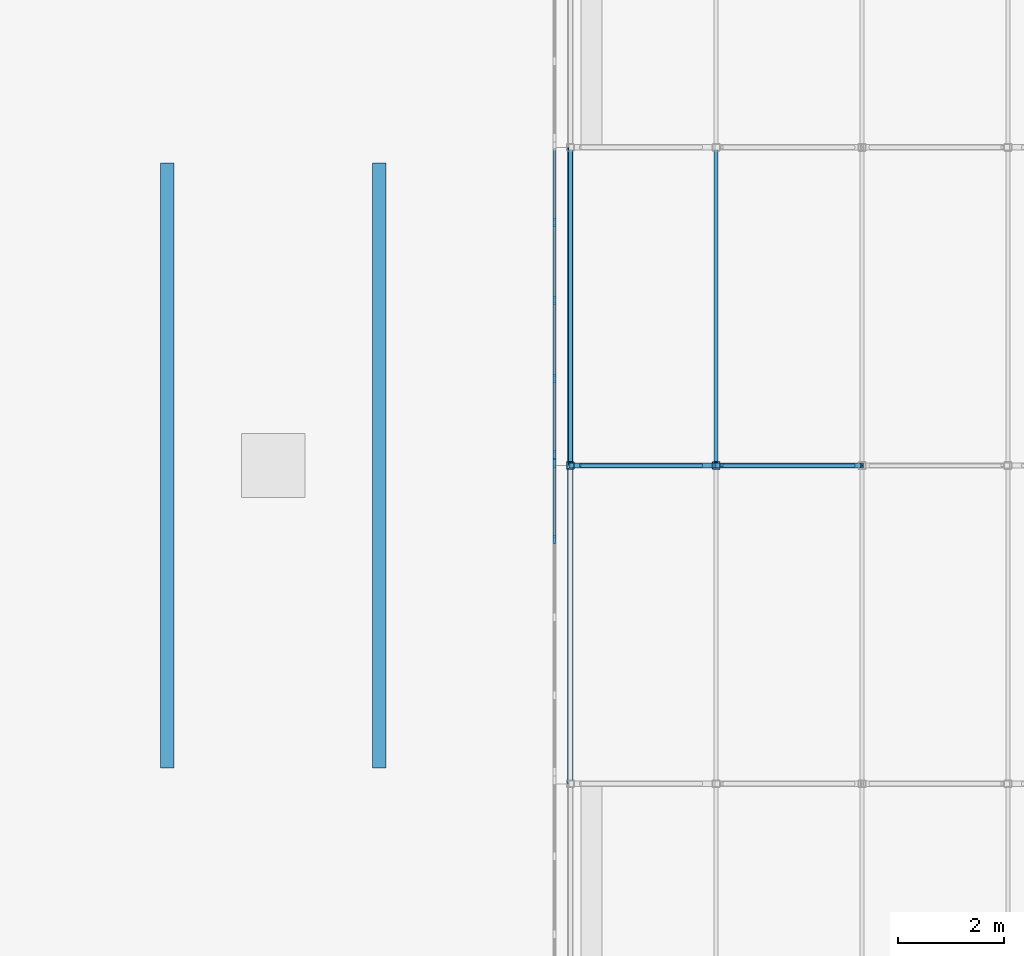
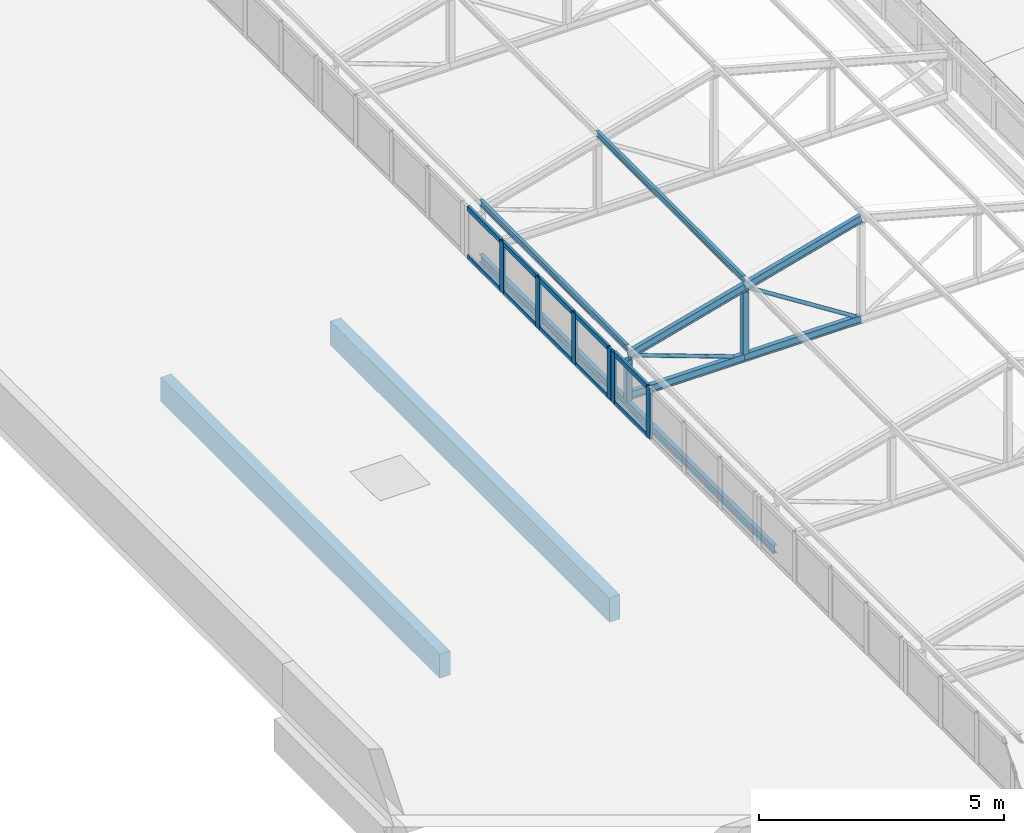
# One storey, part 22 of 94: 26 members, 3 beams, 2 elements without a shape of their own.
"""IFC4 building model written with IfcOpenShell, lengths in metres."""

import ifcopenshell
import ifcopenshell.guid

model = None  # the IFC model being written
_history = None  # IfcOwnerHistory: only IFC2X3 demands one
_inside = {}  # id of a spatial element -> (the spatial element, [elements in it])
_under = {}  # id of a project, library or spatial element -> (it, [spatial elements below it])
_declared = {}  # id of a project -> (the project, [libraries it declares])
_typed = {}  # id of a type object -> (the type object, [elements of that type])
_made_of = {}  # id of a material, layer set ... -> (it, [elements and type objects made of it])


def new_model(schema):
    """Start an empty IFC model of exactly this schema.

    Asked for "IFC4X3", IfcOpenShell would pick the latest addendum, in which some entities
    have other attributes; the version numbers below select the first issue.
    IFC2X3 requires an IfcOwnerHistory on every rooted entity: one is made here for all.
    """
    global model, _history
    if schema == "IFC4X3":
        model = ifcopenshell.file(schema_version=(4, 3, 0, 0))
    else:
        model = ifcopenshell.file(schema=schema)
    _inside.clear()
    _under.clear()
    _declared.clear()
    _typed.clear()
    _made_of.clear()
    _history = None
    if model.schema == "IFC2X3":
        org = make("IfcOrganization", Name="unknown")
        user = make(
            "IfcPersonAndOrganization",
            ThePerson=make("IfcPerson", FamilyName="unknown"),
            TheOrganization=org,
        )
        app = make(
            "IfcApplication",
            ApplicationDeveloper=org,
            Version="unknown",
            ApplicationFullName="unknown",
            ApplicationIdentifier="unknown",
        )
        _history = make(
            "IfcOwnerHistory",
            OwningUser=user,
            OwningApplication=app,
            ChangeAction="ADDED",
            CreationDate=0,
        )
    return model


def make(cls, **values):
    """One entity of the class cls with the attributes given. An attribute that is None is left unset."""
    return model.create_entity(
        cls, **{name: value for name, value in values.items() if value is not None}
    )


def rooted(cls, **values):
    """An entity with a GlobalId (a new one), such as an element, a storey or a relation."""
    return make(cls, GlobalId=ifcopenshell.guid.new(), OwnerHistory=_history, **values)


def si_unit(unit_type, name, prefix=None):
    """IfcSIUnit, for example si_unit("LENGTHUNIT", "METRE", prefix="MILLI")."""
    return make("IfcSIUnit", UnitType=unit_type, Prefix=prefix, Name=name)


def assignment(units):
    """IfcUnitAssignment: the units of a project."""
    return None if units is None else make("IfcUnitAssignment", Units=units)


def point(xyz):
    """IfcCartesianPoint."""
    return None if xyz is None else make("IfcCartesianPoint", Coordinates=xyz)


def direction(xyz):
    """IfcDirection."""
    return None if xyz is None else make("IfcDirection", DirectionRatios=xyz)


def frame(location, z_axis=None, x_axis=None):
    """IfcAxis2Placement3D, a coordinate frame: its origin and axes. An axis left out is left unset."""
    return make(
        "IfcAxis2Placement3D",
        Location=point(location),
        Axis=direction(z_axis),
        RefDirection=direction(x_axis),
    )


def frame_2d(location, x_axis=None):
    """IfcAxis2Placement2D, a coordinate frame in the plane: its origin and x axis."""
    return make(
        "IfcAxis2Placement2D", Location=point(location), RefDirection=direction(x_axis)
    )


def origin():
    """The frame at (0, 0, 0) with its axes left unset."""
    return frame((0.0, 0.0, 0.0))


def origin_2d():
    """The frame at (0, 0) in the plane with its x axis left unset."""
    return frame_2d((0.0, 0.0))


def place(relative_to, where):
    """IfcLocalPlacement: puts the frame where relative to a parent placement (None: the world)."""
    return make(
        "IfcLocalPlacement", PlacementRelTo=relative_to, RelativePlacement=where
    )


def context(
    kind, dimensions, precision=None, world=None, true_north=None, identifier=None
):
    """IfcGeometricRepresentationContext, for example the 3D "Model" context."""
    return make(
        "IfcGeometricRepresentationContext",
        ContextIdentifier=identifier,
        ContextType=kind,
        CoordinateSpaceDimension=dimensions,
        Precision=precision,
        WorldCoordinateSystem=world,
        TrueNorth=true_north,
    )


def subcontext(parent, identifier, kind, view, scale=None):
    """IfcGeometricRepresentationSubContext, for example "Body" below "Model"."""
    return make(
        "IfcGeometricRepresentationSubContext",
        ContextIdentifier=identifier,
        ContextType=kind,
        ParentContext=parent,
        TargetScale=scale,
        TargetView=view,
    )


def project(units=None, contexts=None):
    """IfcProject with its units and contexts."""
    return rooted(
        "IfcProject",
        Name="project",
        RepresentationContexts=contexts,
        UnitsInContext=assignment(units),
    )


def spatial(cls, under=None, at=None, **own):
    """A site, building, storey or space (cls), placed at a placement, below another one or the project."""
    s = rooted(cls, ObjectPlacement=at, **own)
    if under is not None:
        _under.setdefault(under.id(), (under, []))[1].append(s)
    return s


def profile(cls, at=None, kind="AREA", **sizes):
    """A parametric profile (cls). Its sizes go by their IFC names, for example OverallWidth=200.0."""
    return make(cls, ProfileType=kind, Position=at, **sizes)


def rectangle(**sizes):
    """IfcRectangleProfileDef."""
    return profile("IfcRectangleProfileDef", **sizes)


def hollow_rectangle(**sizes):
    """IfcRectangleHollowProfileDef."""
    return profile("IfcRectangleHollowProfileDef", **sizes)


def hollow_circle(**sizes):
    """IfcCircleHollowProfileDef."""
    return profile("IfcCircleHollowProfileDef", **sizes)


def i_section(**sizes):
    """IfcIShapeProfileDef."""
    return profile("IfcIShapeProfileDef", **sizes)


def extrude(swept, where, along, depth):
    """IfcExtrudedAreaSolid: the profile swept, set in the frame where, extruded along a direction by depth."""
    return make(
        "IfcExtrudedAreaSolid",
        SweptArea=swept,
        Position=where,
        ExtrudedDirection=direction(along),
        Depth=depth,
    )


def shape(context_of_items, identifier, shape_type, items):
    """IfcShapeRepresentation: the items that make up one representation, for example the "Body"."""
    return make(
        "IfcShapeRepresentation",
        ContextOfItems=context_of_items,
        RepresentationIdentifier=identifier,
        RepresentationType=shape_type,
        Items=items,
    )


def material(Name=None, Category=None):
    """IfcMaterial."""
    return make("IfcMaterial", Name=Name, Category=Category)


def layer(
    of_material, thickness, ventilated=None, Name=None, Category=None, Priority=None
):
    """IfcMaterialLayer: one layer of a wall or slab, of a material (None: an air gap)."""
    return make(
        "IfcMaterialLayer",
        Material=of_material,
        LayerThickness=thickness,
        IsVentilated=ventilated,
        Name=Name,
        Category=Category,
        Priority=Priority,
    )


def layer_set(layers, Name=None):
    """IfcMaterialLayerSet."""
    return make("IfcMaterialLayerSet", MaterialLayers=layers, LayerSetName=Name)


def material_profile(
    of_material, cross_section, Name=None, Category=None, Priority=None
):
    """IfcMaterialProfile: a cross section and its material."""
    return make(
        "IfcMaterialProfile",
        Name=Name,
        Material=of_material,
        Profile=cross_section,
        Priority=Priority,
        Category=Category,
    )


def profile_set(profiles, Name=None, composite=None):
    """IfcMaterialProfileSet."""
    return make(
        "IfcMaterialProfileSet",
        Name=Name,
        MaterialProfiles=profiles,
        CompositeProfile=composite,
    )


def made_of(thing, what):
    """Note that an element or type object is made of a material, layer set ...; save() writes the relation."""
    if what is not None:
        _made_of.setdefault(what.id(), (what, []))[1].append(thing)
    return thing


def type_object(cls, material=None, **own):
    """A type object (cls), such as IfcWallType, which elements share."""
    return made_of(rooted(cls, **own), material)


def element(
    cls,
    number,
    at=None,
    inside=None,
    cuts=None,
    type_object=None,
    material=None,
    context=None,
    identifier="Body",
    shape_type=None,
    held_by="IfcProductDefinitionShape",
    body=None,
    shapes=None,
    **own,
):
    """One element of the class cls, such as IfcWall. Its Tag is "e" and its number.

    at: its placement. inside: the storey or other place that contains it. cuts: it is an
    opening in that element (IfcRelVoidsElement). A single representation is given by context,
    identifier, shape_type and body (its items); several are given by shapes. held_by: the class
    of the entity that holds the representations. save() writes the other relations.
    """
    e = rooted(cls, Tag="e%d" % number, ObjectPlacement=at, **own)
    if body is not None:
        shapes = [shape(context, identifier, shape_type, body)]
    if shapes is not None:
        e.Representation = make(held_by, Representations=shapes)
    if inside is not None:
        _inside.setdefault(inside.id(), (inside, []))[1].append(e)
    if cuts is not None:
        rooted(
            "IfcRelVoidsElement", RelatingBuildingElement=cuts, RelatedOpeningElement=e
        )
    if type_object is not None:
        _typed.setdefault(type_object.id(), (type_object, []))[1].append(e)
    return made_of(e, material)


def aggregate(whole, parts):
    """IfcRelAggregates: a whole, such as a stair, and the parts it consists of."""
    return rooted("IfcRelAggregates", RelatingObject=whole, RelatedObjects=parts)


def save(model, path):
    """Write the relations noted so far, then the file.

    IfcRelAggregates (storeys below a building ...), IfcRelContainedInSpatialStructure (elements
    in a storey), IfcRelDefinesByType, IfcRelAssociatesMaterial and IfcRelDeclares: one each for
    every whole, place, type object, material and project.
    """
    for whole, parts in _under.values():
        aggregate(whole, parts)
    for where, things in _inside.values():
        rooted(
            "IfcRelContainedInSpatialStructure",
            RelatedElements=things,
            RelatingStructure=where,
        )
    for kind, things in _typed.values():
        rooted("IfcRelDefinesByType", RelatedObjects=things, RelatingType=kind)
    for what, things in _made_of.values():
        rooted("IfcRelAssociatesMaterial", RelatedObjects=things, RelatingMaterial=what)
    for by, libraries in _declared.values():
        rooted("IfcRelDeclares", RelatingContext=by, RelatedDefinitions=libraries)
    model.write(path)


model = new_model("IFC4")

# Units and contexts
model_context = context("Model", 3, precision=1e-05, world=origin(), true_north=direction((0.0, 1.0)))
body_context = subcontext(model_context, "Body", "Model", "MODEL_VIEW")
ifc_project = project(units=[si_unit("LENGTHUNIT", "METRE"), si_unit("AREAUNIT", "SQUARE_METRE"), si_unit("VOLUMEUNIT", "CUBIC_METRE"), si_unit("PLANEANGLEUNIT", "RADIAN"), si_unit("MASSUNIT", "GRAM", prefix="KILO")], contexts=[model_context])

# Site, building, storey
site_placement = place(None, origin())
site = spatial("IfcSite", under=ifc_project, at=site_placement, CompositionType="ELEMENT")
building_placement = place(site_placement, origin())
building = spatial("IfcBuilding", under=site, at=building_placement, Name="Lilac Gate Convention Centre", CompositionType="ELEMENT")
storey_placement = place(building_placement, frame((0.0, 0.0, 21.0)))
storey = spatial("IfcBuildingStorey", under=building, at=storey_placement, Name="L04", CompositionType="ELEMENT", Elevation=21.0)

# Curtain wall, members
ifc_material_1 = material(Name="Aluminium framed double glazing", Category="aluminium")
ifc_layer = layer(ifc_material_1, 0.199951171875)
ifc_layer_set = layer_set([ifc_layer], Name="Aluminium framed double glazing")
curtain_wall_type = type_object("IfcCurtainWallType", Name="Unitised curtain wall 1500", PredefinedType="NOTDEFINED", material=ifc_layer_set)
curtain_wall_1_placement = place(storey_placement, origin())
curtain_wall_1 = element("IfcCurtainWall", 1, at=curtain_wall_1_placement, inside=storey, type_object=curtain_wall_type, Name="Lantern clerestory W 11", PredefinedType="NOTDEFINED")
ifc_material_2 = material(Name="Aluminium alloy 6063", Category="aluminium")
ifc_material_profile_1 = material_profile(ifc_material_2, rectangle(XDim=0.06005859375, YDim=0.159912109375, at=origin_2d()), Name="Curtain wall mullion 60 x 160")
ifc_profile_set_1 = profile_set([ifc_material_profile_1], Name="Aluminium alloy 6063")
member_type_1 = type_object("IfcMemberType", Name="Curtain wall mullion 60 x 160", PredefinedType="MULLION", material=ifc_profile_set_1)
member_1_placement = place(storey_placement, frame((17.300048828125, 94.606201171875, 0.0), z_axis=(0.0, 0.0, 1.0), x_axis=(-1.0, 0.0, 0.0)))
member_1 = element("IfcMember", 2, at=member_1_placement, type_object=member_type_1, Name="CW mullion 4", PredefinedType="MULLION", context=body_context, shape_type="SweptSolid", body=[
    extrude(rectangle(XDim=0.06005859375, YDim=0.159912109375, at=origin_2d()), origin(), (0.0, 0.0, 1.0), 1.272216796875),
])
member_2_placement = place(storey_placement, frame((17.300048828125, 96.044921875, 0.0), z_axis=(0.0, 0.0, 1.0), x_axis=(-1.0, 0.0, 0.0)))
member_2 = element("IfcMember", 3, at=member_2_placement, type_object=member_type_1, Name="CW mullion 5", PredefinedType="MULLION", context=body_context, shape_type="SweptSolid", body=[
    extrude(rectangle(XDim=0.06005859375, YDim=0.159912109375, at=origin_2d()), origin(), (0.0, 0.0, 1.0), 1.272216796875),
])

curtain_wall_2_placement = place(storey_placement, origin())
curtain_wall_2 = element("IfcCurtainWall", 4, at=curtain_wall_2_placement, inside=storey, type_object=curtain_wall_type, Name="Lantern clerestory W 12", PredefinedType="NOTDEFINED")
member_3_placement = place(storey_placement, frame((17.300048828125, 96.205078125, 0.0), z_axis=(0.0, 0.0, 1.0), x_axis=(-1.0, 0.0, 0.0)))
member_3 = element("IfcMember", 5, at=member_3_placement, type_object=member_type_1, Name="CW mullion 1", PredefinedType="MULLION", context=body_context, shape_type="SweptSolid", body=[
    extrude(rectangle(XDim=0.06005859375, YDim=0.159912109375, at=origin_2d()), origin(), (0.0, 0.0, 1.0), 1.272216796875),
])
member_4_placement = place(storey_placement, frame((17.300048828125, 97.643798828125, 0.0), z_axis=(0.0, 0.0, 1.0), x_axis=(-1.0, 0.0, 0.0)))
member_4 = element("IfcMember", 6, at=member_4_placement, type_object=member_type_1, Name="CW mullion 2", PredefinedType="MULLION", context=body_context, shape_type="SweptSolid", body=[
    extrude(rectangle(XDim=0.06005859375, YDim=0.159912109375, at=origin_2d()), origin(), (0.0, 0.0, 1.0), 1.272216796875),
])
member_5_placement = place(storey_placement, frame((17.300048828125, 99.112548828125, 0.0), z_axis=(0.0, 0.0, 1.0), x_axis=(-1.0, 0.0, 0.0)))
member_5 = element("IfcMember", 7, at=member_5_placement, type_object=member_type_1, Name="CW mullion 3", PredefinedType="MULLION", context=body_context, shape_type="SweptSolid", body=[
    extrude(rectangle(XDim=0.06005859375, YDim=0.159912109375, at=origin_2d()), origin(), (0.0, 0.0, 1.0), 1.272216796875),
])
member_6_placement = place(storey_placement, frame((17.300048828125, 100.581298828125, 0.0), z_axis=(0.0, 0.0, 1.0), x_axis=(-1.0, 0.0, 0.0)))
member_6 = element("IfcMember", 8, at=member_6_placement, type_object=member_type_1, Name="CW mullion 4", PredefinedType="MULLION", context=body_context, shape_type="SweptSolid", body=[
    extrude(rectangle(XDim=0.06005859375, YDim=0.159912109375, at=origin_2d()), origin(), (0.0, 0.0, 1.0), 1.272216796875),
])

# Member
ifc_material_profile_2 = material_profile(ifc_material_2, rectangle(XDim=0.06005859375, YDim=0.1201171875, at=origin_2d()), Name="Curtain wall transom 60 x 120")
ifc_profile_set_2 = profile_set([ifc_material_profile_2], Name="Aluminium alloy 6063")
member_type_2 = type_object("IfcMemberType", Name="Curtain wall transom 60 x 120", PredefinedType="USERDEFINED", material=ifc_profile_set_2)
member_7_placement = place(storey_placement, frame((17.300048828125, 94.63623046875, 0.030029296875), z_axis=(0.0, 1.0, 0.0), x_axis=(-1.0, 0.0, 0.0)))
member_7 = element("IfcMember", 9, at=member_7_placement, type_object=member_type_2, Name="CW transom 4.1", ObjectType="TRANSOM", PredefinedType="USERDEFINED", context=body_context, shape_type="SweptSolid", body=[
    extrude(rectangle(XDim=0.06005859375, YDim=0.1201171875, at=origin_2d()), origin(), (0.0, 0.0, 1.0), 1.378662109375),
])

member_8_placement = place(storey_placement, frame((17.300048828125, 94.63623046875, 1.2421875), z_axis=(0.0, 1.0, 0.0), x_axis=(-1.0, 0.0, 0.0)))
member_8 = element("IfcMember", 10, at=member_8_placement, type_object=member_type_2, Name="CW transom 4.2", ObjectType="TRANSOM", PredefinedType="USERDEFINED", context=body_context, shape_type="SweptSolid", body=[
    extrude(rectangle(XDim=0.06005859375, YDim=0.1201171875, at=origin_2d()), origin(), (0.0, 0.0, 1.0), 1.378662109375),
])

aggregate(curtain_wall_1, [member_1, member_2, member_7, member_8])

member_9_placement = place(storey_placement, frame((17.300048828125, 96.235107421875, 0.030029296875), z_axis=(0.0, 1.0, 0.0), x_axis=(-1.0, 0.0, 0.0)))
member_9 = element("IfcMember", 11, at=member_9_placement, type_object=member_type_2, Name="CW transom 1.1", ObjectType="TRANSOM", PredefinedType="USERDEFINED", context=body_context, shape_type="SweptSolid", body=[
    extrude(rectangle(XDim=0.06005859375, YDim=0.1201171875, at=origin_2d()), origin(), (0.0, 0.0, 1.0), 1.378662109375),
])

member_10_placement = place(storey_placement, frame((17.300048828125, 96.235107421875, 1.2421875), z_axis=(0.0, 1.0, 0.0), x_axis=(-1.0, 0.0, 0.0)))
member_10 = element("IfcMember", 12, at=member_10_placement, type_object=member_type_2, Name="CW transom 1.2", ObjectType="TRANSOM", PredefinedType="USERDEFINED", context=body_context, shape_type="SweptSolid", body=[
    extrude(rectangle(XDim=0.06005859375, YDim=0.1201171875, at=origin_2d()), origin(), (0.0, 0.0, 1.0), 1.378662109375),
])

member_11_placement = place(storey_placement, frame((17.300048828125, 97.673828125, 0.030029296875), z_axis=(0.0, 1.0, 0.0), x_axis=(-1.0, 0.0, 0.0)))
member_11 = element("IfcMember", 13, at=member_11_placement, type_object=member_type_2, Name="CW transom 2.1", ObjectType="TRANSOM", PredefinedType="USERDEFINED", context=body_context, shape_type="SweptSolid", body=[
    extrude(rectangle(XDim=0.06005859375, YDim=0.1201171875, at=origin_2d()), origin(), (0.0, 0.0, 1.0), 1.40869140625),
])

member_12_placement = place(storey_placement, frame((17.300048828125, 97.673828125, 1.2421875), z_axis=(0.0, 1.0, 0.0), x_axis=(-1.0, 0.0, 0.0)))
member_12 = element("IfcMember", 14, at=member_12_placement, type_object=member_type_2, Name="CW transom 2.2", ObjectType="TRANSOM", PredefinedType="USERDEFINED", context=body_context, shape_type="SweptSolid", body=[
    extrude(rectangle(XDim=0.06005859375, YDim=0.1201171875, at=origin_2d()), origin(), (0.0, 0.0, 1.0), 1.40869140625),
])

member_13_placement = place(storey_placement, frame((17.300048828125, 99.142578125, 0.030029296875), z_axis=(0.0, 1.0, 0.0), x_axis=(-1.0, 0.0, 0.0)))
member_13 = element("IfcMember", 15, at=member_13_placement, type_object=member_type_2, Name="CW transom 3.1", ObjectType="TRANSOM", PredefinedType="USERDEFINED", context=body_context, shape_type="SweptSolid", body=[
    extrude(rectangle(XDim=0.06005859375, YDim=0.1201171875, at=origin_2d()), origin(), (0.0, 0.0, 1.0), 1.40869140625),
])

member_14_placement = place(storey_placement, frame((17.300048828125, 99.142578125, 1.2421875), z_axis=(0.0, 1.0, 0.0), x_axis=(-1.0, 0.0, 0.0)))
member_14 = element("IfcMember", 16, at=member_14_placement, type_object=member_type_2, Name="CW transom 3.2", ObjectType="TRANSOM", PredefinedType="USERDEFINED", context=body_context, shape_type="SweptSolid", body=[
    extrude(rectangle(XDim=0.06005859375, YDim=0.1201171875, at=origin_2d()), origin(), (0.0, 0.0, 1.0), 1.40869140625),
])

member_15_placement = place(storey_placement, frame((17.300048828125, 100.611328125, 0.030029296875), z_axis=(0.0, 1.0, 0.0), x_axis=(-1.0, 0.0, 0.0)))
member_15 = element("IfcMember", 17, at=member_15_placement, type_object=member_type_2, Name="CW transom 4.1", ObjectType="TRANSOM", PredefinedType="USERDEFINED", context=body_context, shape_type="SweptSolid", body=[
    extrude(rectangle(XDim=0.06005859375, YDim=0.1201171875, at=origin_2d()), origin(), (0.0, 0.0, 1.0), 1.378662109375),
])

member_16_placement = place(storey_placement, frame((17.300048828125, 100.611328125, 1.2421875), z_axis=(0.0, 1.0, 0.0), x_axis=(-1.0, 0.0, 0.0)))
member_16 = element("IfcMember", 18, at=member_16_placement, type_object=member_type_2, Name="CW transom 4.2", ObjectType="TRANSOM", PredefinedType="USERDEFINED", context=body_context, shape_type="SweptSolid", body=[
    extrude(rectangle(XDim=0.06005859375, YDim=0.1201171875, at=origin_2d()), origin(), (0.0, 0.0, 1.0), 1.378662109375),
])

aggregate(curtain_wall_2, [member_3, member_4, member_5, member_6, member_9, member_10, member_11, member_12, member_13, member_14, member_15, member_16])

# Members
ifc_material_3 = material(Name="Steel Q355B", Category="steel")
ifc_material_profile_3 = material_profile(ifc_material_3, i_section(OverallWidth=0.10009765625, OverallDepth=0.199951171875, WebThickness=0.005615234375, FlangeThickness=0.008056640625, FilletRadius=0.008056640625, at=origin_2d()), Name="HN200x100x5.5x8")
ifc_profile_set_3 = profile_set([ifc_material_profile_3], Name="Steel Q355B")
member_type_3 = type_object("IfcMemberType", Name="Lantern bottom chord HN200x100x5.5x8", PredefinedType="CHORD", material=ifc_profile_set_3)
for number, where, z_axis, x_axis, name in (
    (19, (17.60009765625, 96.0, 0.10009765625), (1.0, 0.0, 0.0), (0.0, 1.0, 0.0), "LB1 lantern truss 12 bottom chord 1"),
    (20, (20.35009765625, 96.0, 0.10009765625), (1.0, 0.0, 0.0), (0.0, 1.0, 0.0), "LB1 lantern truss 12 bottom chord 2"),
):
    element("IfcMember", number, at=place(storey_placement, frame(where, z_axis=z_axis, x_axis=x_axis)), inside=storey, type_object=member_type_3, Name=name, PredefinedType="CHORD", context=body_context, shape_type="SweptSolid", body=[
        extrude(i_section(OverallWidth=0.10009765625, OverallDepth=0.199951171875, WebThickness=0.005615234375, FlangeThickness=0.008056640625, FilletRadius=0.008056640625, at=origin_2d()), origin(), (0.0, 0.0, 1.0), 2.75),
    ])
ifc_material_profile_4 = material_profile(ifc_material_3, hollow_circle(Radius=0.04443359375, WallThickness=0.0048828125, at=origin_2d()), Name="CHS88.9x5")
ifc_profile_set_4 = profile_set([ifc_material_profile_4], Name="Steel Q355B")
member_type_4 = type_object("IfcMemberType", Name="Lantern diagonal CHS88.9x5", PredefinedType="BRACE", material=ifc_profile_set_4)
member_17_placement = place(storey_placement, frame((17.789794921875, 96.0, 1.031005859375), z_axis=(0.939781696917, 0.0, -0.341775309434), x_axis=(0.0, 1.0, 0.0)))
element("IfcMember", 21, at=member_17_placement, inside=storey, type_object=member_type_4, Name="LW1 lantern truss 12 diagonal 1", PredefinedType="BRACE", context=body_context, shape_type="SweptSolid", body=[
    extrude(hollow_circle(Radius=0.04443359375, WallThickness=0.0048828125, at=origin_2d()), origin(), (0.0, 0.0, 1.0), 2.431640625),
])
member_18_placement = place(storey_placement, frame((20.45849609375, 96.0, 1.781005859375), z_axis=(0.843647832412, 0.0, -0.536896949951), x_axis=(0.0, 1.0, 0.0)))
element("IfcMember", 22, at=member_18_placement, inside=storey, type_object=member_type_4, Name="LW1 lantern truss 12 diagonal 2", PredefinedType="BRACE", context=body_context, shape_type="SweptSolid", body=[
    extrude(hollow_circle(Radius=0.04443359375, WallThickness=0.0048828125, at=origin_2d()), origin(), (0.0, 0.0, 1.0), 2.94482421875),
])
ifc_material_profile_5 = material_profile(ifc_material_3, hollow_rectangle(XDim=0.139892578125, YDim=0.139892578125, WallThickness=0.0048828125, InnerFilletRadius=0.0048828125, OuterFilletRadius=0.010009765625, at=origin_2d()), Name="SHS140x140x5")
ifc_profile_set_5 = profile_set([ifc_material_profile_5], Name="Steel Q355B")
member_type_5 = type_object("IfcMemberType", Name="Lantern post SHS140x140x5", PredefinedType="STRUT", material=ifc_profile_set_5)
member_19_placement = place(storey_placement, frame((17.60009765625, 96.0, 0.0), z_axis=(0.0, 0.0, 1.0), x_axis=(1.0, 0.0, 0.0)))
element("IfcMember", 23, at=member_19_placement, inside=storey, type_object=member_type_5, Name="LV1 lantern truss 12 post 1", PredefinedType="STRUT", context=body_context, shape_type="SweptSolid", body=[
    extrude(hollow_rectangle(XDim=0.139892578125, YDim=0.139892578125, WallThickness=0.0048828125, InnerFilletRadius=0.0048828125, OuterFilletRadius=0.010009765625, at=origin_2d()), origin(), (0.0, 0.0, 1.0), 1.001953125),
])
member_20_placement = place(storey_placement, frame((20.35009765625, 96.0, 0.199951171875), z_axis=(0.0, 0.0, 1.0), x_axis=(1.0, 0.0, 0.0)))
element("IfcMember", 24, at=member_20_placement, inside=storey, type_object=member_type_5, Name="LV1 lantern truss 12 post 2", PredefinedType="STRUT", context=body_context, shape_type="SweptSolid", body=[
    extrude(hollow_rectangle(XDim=0.139892578125, YDim=0.139892578125, WallThickness=0.0048828125, InnerFilletRadius=0.0048828125, OuterFilletRadius=0.010009765625, at=origin_2d()), origin(), (0.0, 0.0, 1.0), 1.546142578125),
])
ifc_material_profile_6 = material_profile(ifc_material_3, i_section(OverallWidth=0.074951171875, OverallDepth=0.14990234375, WebThickness=0.0048828125, FlangeThickness=0.007080078125, FilletRadius=0.008056640625, at=origin_2d()), Name="HN150x75x5x7")
ifc_profile_set_6 = profile_set([ifc_material_profile_6], Name="Steel Q355B")
member_type_6 = type_object("IfcMemberType", Name="Lantern purlin HN150x75x5x7", PredefinedType="PURLIN", material=ifc_profile_set_6)
for number, where, z_axis, x_axis, name in (
    (25, (17.60009765625, 96.0, 1.279052734375), (0.0, 1.0, 0.0), (-1.0, 0.0, 0.0), "LP1 lantern purlin bay 12 line 1"),
    (26, (20.35009765625, 96.0, 2.029052734375), (0.0, 1.0, 0.0), (-1.0, 0.0, 0.0), "LP1 lantern purlin bay 12 line 2"),
):
    element("IfcMember", number, at=place(storey_placement, frame(where, z_axis=z_axis, x_axis=x_axis)), inside=storey, type_object=member_type_6, Name=name, PredefinedType="PURLIN", context=body_context, shape_type="SweptSolid", body=[
        extrude(i_section(OverallWidth=0.074951171875, OverallDepth=0.14990234375, WebThickness=0.0048828125, FlangeThickness=0.007080078125, FilletRadius=0.008056640625, at=origin_2d()), origin(), (0.0, 0.0, 1.0), 6.0),
    ])
ifc_material_profile_7 = material_profile(ifc_material_3, i_section(OverallWidth=0.10009765625, OverallDepth=0.199951171875, WebThickness=0.005615234375, FlangeThickness=0.008056640625, FilletRadius=0.008056640625, at=origin_2d()), Name="HN200x100x5.5x8")
ifc_profile_set_7 = profile_set([ifc_material_profile_7], Name="Steel Q355B")
member_type_7 = type_object("IfcMemberType", Name="Lantern top chord HN200x100x5.5x8", PredefinedType="CHORD", material=ifc_profile_set_7)
for number, where, z_axis, x_axis, name in (
    (27, (17.60009765625, 96.0, 1.10009765625), (0.964763821238, 0.0, 0.263117405792), (0.0, 1.0, 0.0), "LT1 lantern truss 12 top chord 1"),
    (28, (20.35009765625, 96.0, 1.85009765625), (0.964763821238, 0.0, 0.263117405792), (0.0, 1.0, 0.0), "LT1 lantern truss 12 top chord 2"),
):
    element("IfcMember", number, at=place(storey_placement, frame(where, z_axis=z_axis, x_axis=x_axis)), inside=storey, type_object=member_type_7, Name=name, PredefinedType="CHORD", context=body_context, shape_type="SweptSolid", body=[
        extrude(i_section(OverallWidth=0.10009765625, OverallDepth=0.199951171875, WebThickness=0.005615234375, FlangeThickness=0.008056640625, FilletRadius=0.008056640625, at=origin_2d()), origin(), (0.0, 0.0, 1.0), 2.850341796875),
    ])

# Beams
ifc_material_profile_8 = material_profile(ifc_material_3, i_section(OverallWidth=0.10009765625, OverallDepth=0.199951171875, WebThickness=0.005615234375, FlangeThickness=0.008056640625, FilletRadius=0.008056640625, at=origin_2d()), Name="HN200x100x5.5x8")
ifc_profile_set_8 = profile_set([ifc_material_profile_8], Name="Steel Q355B")
beam_type_1 = type_object("IfcBeamType", Name="Steel edge beam HN200x100x5.5x8", PredefinedType="BEAM", material=ifc_profile_set_8)
beam_placement = place(storey_placement, frame((17.60009765625, 90.0, -0.10009765625), z_axis=(0.0, 1.0, 0.0), x_axis=(-1.0, 0.0, 0.0)))
element("IfcBeam", 29, at=beam_placement, inside=storey, type_object=beam_type_1, Name="LE2 lantern west edge beam 6", PredefinedType="BEAM", context=body_context, shape_type="SweptSolid", body=[
    extrude(i_section(OverallWidth=0.10009765625, OverallDepth=0.199951171875, WebThickness=0.005615234375, FlangeThickness=0.008056640625, FilletRadius=0.008056640625, at=origin_2d()), origin(), (0.0, 0.0, 1.0), 12.0),
])
ifc_material_4 = material(Name="Concrete C40", Category="concrete")
ifc_material_profile_9 = material_profile(ifc_material_4, rectangle(XDim=0.25, YDim=0.60009765625, at=origin_2d()), Name="RC 250x600")
ifc_profile_set_9 = profile_set([ifc_material_profile_9], Name="Concrete C40")
beam_type_2 = type_object("IfcBeamType", Name="Tower secondary beam 250x600 C40", PredefinedType="BEAM", material=ifc_profile_set_9)
for number, where, z_axis, x_axis, name in (
    (30, (10.0, 90.300048828125, -0.5), (0.0, 1.0, 0.0), (-1.0, 0.0, 0.0), "RB4 L04 bay 1/F"),
    (31, (14.0, 90.300048828125, -0.5), (0.0, 1.0, 0.0), (-1.0, 0.0, 0.0), "RB4 L04 bay 1/F"),
):
    element("IfcBeam", number, at=place(storey_placement, frame(where, z_axis=z_axis, x_axis=x_axis)), inside=storey, type_object=beam_type_2, Name=name, PredefinedType="BEAM", context=body_context, shape_type="SweptSolid", body=[
        extrude(rectangle(XDim=0.25, YDim=0.60009765625, at=origin_2d()), origin(), (0.0, 0.0, 1.0), 11.39990234375),
    ])

save(model, "model.ifc")
